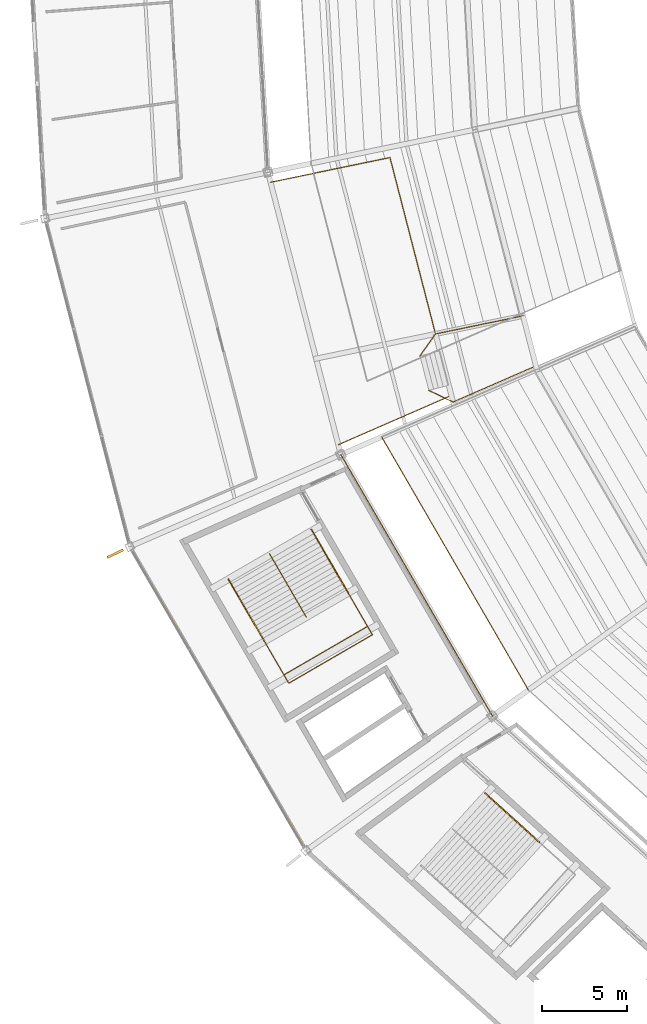
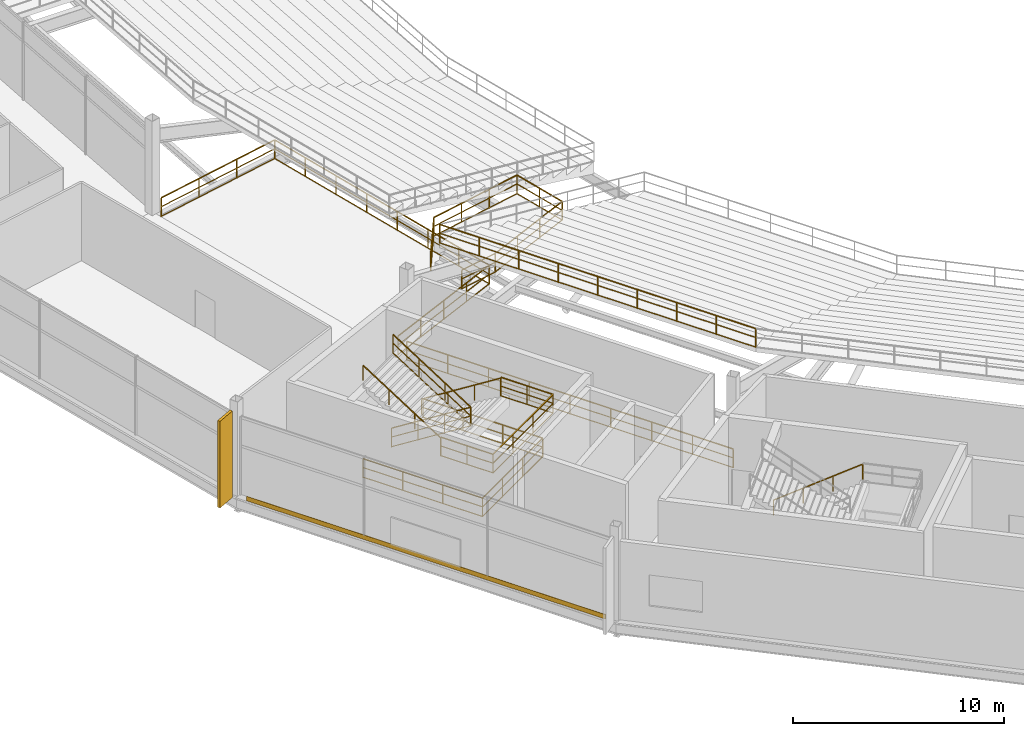
# One storey, part 170 of 186: 10 railings, 1 covering, 1 shading device.
"""IFC4 building model written with IfcOpenShell, lengths in metres."""

from ifc_helpers import new_model, si_unit, direction, frame, origin, origin_2d, place, context, subcontext, project, spatial, rectangle, extrude, material, layer, layer_set, type_object, element, save


model = new_model("IFC4")

# Units and contexts
model_context = context("Model", 3, precision=1e-05, world=origin(), true_north=direction((0.0, 1.0)))
body_context = subcontext(model_context, "Body", "Model", "MODEL_VIEW")
ifc_project = project(units=[si_unit("LENGTHUNIT", "METRE"), si_unit("AREAUNIT", "SQUARE_METRE"), si_unit("VOLUMEUNIT", "CUBIC_METRE"), si_unit("PLANEANGLEUNIT", "RADIAN"), si_unit("MASSUNIT", "GRAM", prefix="KILO")], contexts=[model_context])

# Site, building, storey
site_placement = place(None, origin())
site = spatial("IfcSite", under=ifc_project, at=site_placement, CompositionType="ELEMENT")
building_placement = place(site_placement, origin())
building = spatial("IfcBuilding", under=site, at=building_placement, Name="Kazemori Nagisa Stadium", CompositionType="ELEMENT")
storey_placement = place(building_placement, frame((0.0, 0.0, 20.39990234375)))
storey = spatial("IfcBuildingStorey", under=building, at=storey_placement, Name="L04", CompositionType="ELEMENT", Elevation=20.39990234375)

# Covering
ifc_material_1 = material(Name="Anodised aluminium 6063-T5", Category="aluminium")
ifc_layer = layer(ifc_material_1, 0.034912109375, Name="Anodised aluminium 6063-T5", Category="aluminium")
ifc_layer_set = layer_set([ifc_layer], Name="Anodised aluminium 6063-T5")
covering_type = type_object("IfcCoveringType", Name="Covering_CLAD", PredefinedType="CLADDING", material=ifc_layer_set)
covering_placement = place(storey_placement, frame((39.309814453125, 54.29150390625, -0.259765625), z_axis=(0.0, 0.0, 1.0), x_axis=(0.501611590054, -0.865092950337, 0.0)))
element("IfcCovering", 1, at=covering_placement, inside=storey, type_object=covering_type, Name="Anodised fascia cladding L04-B17", PredefinedType="CLADDING", context=body_context, shape_type="SweptSolid", body=[
    extrude(rectangle(XDim=19.6123046875, YDim=0.0400390625, at=origin_2d()), origin(), (0.0, 0.0, 1.0), 0.260009765625),
])

# Shading device
ifc_material_2 = material(Name="Aluminium 6063-T5 anodised", Category="aluminium")
shading_device_type = type_object("IfcShadingDeviceType", Name="Fin_FN03", PredefinedType="USERDEFINED", material=ifc_material_2)
shading_device_placement = place(storey_placement, frame((33.254638671875, 62.836181640625, 0.0), z_axis=(0.0, 0.0, 1.0), x_axis=(-0.900968867905, -0.433883739113, 0.0)))
element("IfcShadingDevice", 2, at=shading_device_placement, inside=storey, type_object=shading_device_type, Name="Aerodynamic wave shading fin L04-17", ObjectType="FIN", PredefinedType="USERDEFINED", context=body_context, shape_type="SweptSolid", body=[
    extrude(rectangle(XDim=1.050048828125, YDim=0.139892578125, at=origin_2d()), origin(), (0.0, 0.0, 1.0), 5.0),
])

# Railings
ifc_material_3 = material(Name="Laminated safety glass and stainless steel SUS304", Category="steel")
railing_type_1 = type_object("IfcRailingType", Name="Rail_BAL", PredefinedType="BALUSTRADE", material=ifc_material_3)
railing_1_placement = place(storey_placement, frame((42.41259765625, 84.737060546875, 0.0)))
element("IfcRailing", 3, at=railing_1_placement, inside=storey, type_object=railing_type_1, Name="Upper vomitory lobby balustrade B16", PredefinedType="BALUSTRADE", context=body_context, shape_type="SweptSolid", body=[
    extrude(rectangle(XDim=0.050048828125, YDim=0.050048828125, at=origin_2d()), frame((0.0, 0.0, 1.09521484375), z_axis=(0.979313585997, 0.202348462516, 0.0), x_axis=(-0.202348462516, 0.979313585997, 0.0)), (0.0, 0.0, 1.0), 7.189697265625),
    extrude(rectangle(XDim=0.03759765625, YDim=0.03759765625, at=origin_2d()), frame((0.0, 0.0, 0.58251953125), z_axis=(0.979313585997, 0.202348462516, 0.0), x_axis=(-0.202348462516, 0.979313585997, 0.0)), (0.0, 0.0, 1.0), 7.189697265625),
    extrude(rectangle(XDim=0.03759765625, YDim=0.03759765625, at=origin_2d()), frame((0.0, 0.0, 0.02490234375), z_axis=(0.979313585997, 0.202348462516, 0.0), x_axis=(-0.202348462516, 0.979313585997, 0.0)), (0.0, 0.0, 1.0), 7.189697265625),
    extrude(rectangle(XDim=0.050048828125, YDim=0.050048828125, at=origin_2d()), frame((7.041015625, 1.454833984375, 1.09521484375), z_axis=(0.249966179214, -0.968254568411, 0.0), x_axis=(0.968254568411, 0.249966179214, 0.0)), (0.0, 0.0, 1.0), 14.4892578125),
    extrude(rectangle(XDim=0.03759765625, YDim=0.03759765625, at=origin_2d()), frame((7.041015625, 1.454833984375, 0.58251953125), z_axis=(0.249966179214, -0.968254568411, 0.0), x_axis=(0.968254568411, 0.249966179214, 0.0)), (0.0, 0.0, 1.0), 14.4892578125),
    extrude(rectangle(XDim=0.03759765625, YDim=0.03759765625, at=origin_2d()), frame((7.041015625, 1.454833984375, 0.02490234375), z_axis=(0.249966179214, -0.968254568411, 0.0), x_axis=(0.968254568411, 0.249966179214, 0.0)), (0.0, 0.0, 1.0), 14.4892578125),
    extrude(rectangle(XDim=0.050048828125, YDim=0.050048828125, at=origin_2d()), frame((10.662841796875, -12.574462890625, 1.09521484375), z_axis=(-0.916678937459, -0.399624480756, 0.0), x_axis=(0.399624480756, -0.916678937459, 0.0)), (0.0, 0.0, 1.0), 7.2724609375),
    extrude(rectangle(XDim=0.03759765625, YDim=0.03759765625, at=origin_2d()), frame((10.662841796875, -12.574462890625, 0.58251953125), z_axis=(-0.916678937459, -0.399624480756, 0.0), x_axis=(0.399624480756, -0.916678937459, 0.0)), (0.0, 0.0, 1.0), 7.2724609375),
    extrude(rectangle(XDim=0.03759765625, YDim=0.03759765625, at=origin_2d()), frame((10.662841796875, -12.574462890625, 0.02490234375), z_axis=(-0.916678937459, -0.399624480756, 0.0), x_axis=(0.399624480756, -0.916678937459, 0.0)), (0.0, 0.0, 1.0), 7.2724609375),
    extrude(rectangle(XDim=0.044921875, YDim=0.044921875, at=origin_2d()), origin(), (0.0, 0.0, 1.0), 1.070068359375),
    extrude(rectangle(XDim=0.044921875, YDim=0.044921875, at=origin_2d()), frame((2.346923828125, 0.48486328125, 0.0)), (0.0, 0.0, 1.0), 1.070068359375),
    extrude(rectangle(XDim=0.044921875, YDim=0.044921875, at=origin_2d()), frame((4.694091796875, 0.969970703125, 0.0)), (0.0, 0.0, 1.0), 1.070068359375),
    extrude(rectangle(XDim=0.044921875, YDim=0.044921875, at=origin_2d()), frame((7.041015625, 1.454833984375, 0.0)), (0.0, 0.0, 1.0), 1.070068359375),
    extrude(rectangle(XDim=0.044921875, YDim=0.044921875, at=origin_2d()), frame((7.558349609375, -0.54931640625, 0.0)), (0.0, 0.0, 1.0), 1.070068359375),
    extrude(rectangle(XDim=0.044921875, YDim=0.044921875, at=origin_2d()), frame((8.075927734375, -2.553466796875, 0.0)), (0.0, 0.0, 1.0), 1.070068359375),
    extrude(rectangle(XDim=0.044921875, YDim=0.044921875, at=origin_2d()), frame((8.59326171875, -4.5576171875, 0.0)), (0.0, 0.0, 1.0), 1.070068359375),
    extrude(rectangle(XDim=0.044921875, YDim=0.044921875, at=origin_2d()), frame((9.110595703125, -6.56201171875, 0.0)), (0.0, 0.0, 1.0), 1.070068359375),
    extrude(rectangle(XDim=0.044921875, YDim=0.044921875, at=origin_2d()), frame((9.6279296875, -8.566162109375, 0.0)), (0.0, 0.0, 1.0), 1.070068359375),
    extrude(rectangle(XDim=0.044921875, YDim=0.044921875, at=origin_2d()), frame((10.1455078125, -10.5703125, 0.0)), (0.0, 0.0, 1.0), 1.070068359375),
    extrude(rectangle(XDim=0.044921875, YDim=0.044921875, at=origin_2d()), frame((10.662841796875, -12.574462890625, 0.0)), (0.0, 0.0, 1.0), 1.070068359375),
    extrude(rectangle(XDim=0.044921875, YDim=0.044921875, at=origin_2d()), frame((8.99609375, -13.301025390625, 0.0)), (0.0, 0.0, 1.0), 1.070068359375),
    extrude(rectangle(XDim=0.044921875, YDim=0.044921875, at=origin_2d()), frame((7.32958984375, -14.027587890625, 0.0)), (0.0, 0.0, 1.0), 1.070068359375),
    extrude(rectangle(XDim=0.044921875, YDim=0.044921875, at=origin_2d()), frame((5.6630859375, -14.754150390625, 0.0)), (0.0, 0.0, 1.0), 1.070068359375),
    extrude(rectangle(XDim=0.044921875, YDim=0.044921875, at=origin_2d()), frame((3.996337890625, -15.480712890625, 0.0)), (0.0, 0.0, 1.0), 1.070068359375),
])
railing_2_placement = place(storey_placement, frame((46.55908203125, 68.67529296875, 0.0)))
element("IfcRailing", 4, at=railing_2_placement, inside=storey, type_object=railing_type_1, Name="Upper concourse balustrade L04-B17", PredefinedType="BALUSTRADE", context=body_context, shape_type="SweptSolid", body=[
    extrude(rectangle(XDim=0.050048828125, YDim=0.050048828125, at=origin_2d()), frame((0.0, 0.0, 1.09521484375), z_axis=(0.501606704589, -0.865095783085, 0.0), x_axis=(0.865095783085, 0.501606704589, 0.0)), (0.0, 0.0, 1.0), 17.8125),
    extrude(rectangle(XDim=0.03759765625, YDim=0.03759765625, at=origin_2d()), frame((0.0, 0.0, 0.58251953125), z_axis=(0.501606704589, -0.865095783085, 0.0), x_axis=(0.865095783085, 0.501606704589, 0.0)), (0.0, 0.0, 1.0), 17.8125),
    extrude(rectangle(XDim=0.03759765625, YDim=0.03759765625, at=origin_2d()), frame((0.0, 0.0, 0.02490234375), z_axis=(0.501606704589, -0.865095783085, 0.0), x_axis=(0.865095783085, 0.501606704589, 0.0)), (0.0, 0.0, 1.0), 17.8125),
    extrude(rectangle(XDim=0.044921875, YDim=0.044921875, at=origin_2d()), origin(), (0.0, 0.0, 1.0), 1.070068359375),
    extrude(rectangle(XDim=0.044921875, YDim=0.044921875, at=origin_2d()), frame((1.116943359375, -1.92626953125, 0.0)), (0.0, 0.0, 1.0), 1.070068359375),
    extrude(rectangle(XDim=0.044921875, YDim=0.044921875, at=origin_2d()), frame((2.233642578125, -3.852294921875, 0.0)), (0.0, 0.0, 1.0), 1.070068359375),
    extrude(rectangle(XDim=0.044921875, YDim=0.044921875, at=origin_2d()), frame((3.3505859375, -5.778564453125, 0.0)), (0.0, 0.0, 1.0), 1.070068359375),
    extrude(rectangle(XDim=0.044921875, YDim=0.044921875, at=origin_2d()), frame((4.46728515625, -7.70458984375, 0.0)), (0.0, 0.0, 1.0), 1.070068359375),
    extrude(rectangle(XDim=0.044921875, YDim=0.044921875, at=origin_2d()), frame((5.584228515625, -9.630859375, 0.0)), (0.0, 0.0, 1.0), 1.070068359375),
    extrude(rectangle(XDim=0.044921875, YDim=0.044921875, at=origin_2d()), frame((6.701171875, -11.55712890625, 0.0)), (0.0, 0.0, 1.0), 1.070068359375),
    extrude(rectangle(XDim=0.044921875, YDim=0.044921875, at=origin_2d()), frame((7.81787109375, -13.483154296875, 0.0)), (0.0, 0.0, 1.0), 1.070068359375),
    extrude(rectangle(XDim=0.044921875, YDim=0.044921875, at=origin_2d()), frame((8.934814453125, -15.409423828125, 0.0)), (0.0, 0.0, 1.0), 1.070068359375),
])
ifc_material_4 = material(Name="Galvanised powder-coated steel", Category="steel")
railing_type_2 = type_object("IfcRailingType", Name="Rail_GUARD", PredefinedType="GUARDRAIL", material=ifc_material_4)
railing_3_placement = place(storey_placement, frame((44.858642578125, 64.196044921875, 0.0)))
element("IfcRailing", 5, at=railing_3_placement, inside=storey, type_object=railing_type_2, Name="Stair well perimeter guard ST09-L04", PredefinedType="GUARDRAIL", context=body_context, shape_type="SweptSolid", body=[
    extrude(rectangle(XDim=0.050048828125, YDim=0.050048828125, at=origin_2d()), frame((0.0, 0.0, 1.09521484375), z_axis=(0.501601054686, -0.865099059032, 0.0), x_axis=(0.865099059032, 0.501601054686, 0.0)), (0.0, 0.0, 1.0), 6.52490234375),
    extrude(rectangle(XDim=0.03759765625, YDim=0.03759765625, at=origin_2d()), frame((0.0, 0.0, 0.58251953125), z_axis=(0.501601054686, -0.865099059032, 0.0), x_axis=(0.865099059032, 0.501601054686, 0.0)), (0.0, 0.0, 1.0), 6.52490234375),
    extrude(rectangle(XDim=0.03759765625, YDim=0.03759765625, at=origin_2d()), frame((0.0, 0.0, 0.02490234375), z_axis=(0.501601054686, -0.865099059032, 0.0), x_axis=(0.865099059032, 0.501601054686, 0.0)), (0.0, 0.0, 1.0), 6.52490234375),
    extrude(rectangle(XDim=0.050048828125, YDim=0.050048828125, at=origin_2d()), frame((3.27294921875, -5.644775390625, 1.09521484375), z_axis=(-0.865091784601, -0.501613600508, 0.0), x_axis=(0.501613600508, -0.865091784601, 0.0)), (0.0, 0.0, 1.0), 5.699951171875),
    extrude(rectangle(XDim=0.03759765625, YDim=0.03759765625, at=origin_2d()), frame((3.27294921875, -5.644775390625, 0.58251953125), z_axis=(-0.865091784601, -0.501613600508, 0.0), x_axis=(0.501613600508, -0.865091784601, 0.0)), (0.0, 0.0, 1.0), 5.699951171875),
    extrude(rectangle(XDim=0.03759765625, YDim=0.03759765625, at=origin_2d()), frame((3.27294921875, -5.644775390625, 0.02490234375), z_axis=(-0.865091784601, -0.501613600508, 0.0), x_axis=(0.501613600508, -0.865091784601, 0.0)), (0.0, 0.0, 1.0), 5.699951171875),
    extrude(rectangle(XDim=0.050048828125, YDim=0.050048828125, at=origin_2d()), frame((-1.657958984375, -8.50390625, 1.09521484375), z_axis=(-0.501645292918, 0.865073407344, 0.0), x_axis=(-0.865073407344, -0.501645292918, 0.0)), (0.0, 0.0, 1.0), 6.52490234375),
    extrude(rectangle(XDim=0.03759765625, YDim=0.03759765625, at=origin_2d()), frame((-1.657958984375, -8.50390625, 0.58251953125), z_axis=(-0.501645292918, 0.865073407344, 0.0), x_axis=(-0.865073407344, -0.501645292918, 0.0)), (0.0, 0.0, 1.0), 6.52490234375),
    extrude(rectangle(XDim=0.03759765625, YDim=0.03759765625, at=origin_2d()), frame((-1.657958984375, -8.50390625, 0.02490234375), z_axis=(-0.501645292918, 0.865073407344, 0.0), x_axis=(-0.865073407344, -0.501645292918, 0.0)), (0.0, 0.0, 1.0), 6.52490234375),
    extrude(rectangle(XDim=0.044921875, YDim=0.044921875, at=origin_2d()), origin(), (0.0, 0.0, 1.0), 1.070068359375),
    extrude(rectangle(XDim=0.044921875, YDim=0.044921875, at=origin_2d()), frame((1.091064453125, -1.881591796875, 0.0)), (0.0, 0.0, 1.0), 1.070068359375),
    extrude(rectangle(XDim=0.044921875, YDim=0.044921875, at=origin_2d()), frame((2.181884765625, -3.76318359375, 0.0)), (0.0, 0.0, 1.0), 1.070068359375),
    extrude(rectangle(XDim=0.044921875, YDim=0.044921875, at=origin_2d()), frame((3.27294921875, -5.644775390625, 0.0)), (0.0, 0.0, 1.0), 1.070068359375),
    extrude(rectangle(XDim=0.044921875, YDim=0.044921875, at=origin_2d()), frame((1.62939453125, -6.597900390625, 0.0)), (0.0, 0.0, 1.0), 1.070068359375),
    extrude(rectangle(XDim=0.044921875, YDim=0.044921875, at=origin_2d()), frame((-0.014404296875, -7.55078125, 0.0)), (0.0, 0.0, 1.0), 1.070068359375),
    extrude(rectangle(XDim=0.044921875, YDim=0.044921875, at=origin_2d()), frame((-1.657958984375, -8.50390625, 0.0)), (0.0, 0.0, 1.0), 1.070068359375),
    extrude(rectangle(XDim=0.044921875, YDim=0.044921875, at=origin_2d()), frame((-2.7490234375, -6.622314453125, 0.0)), (0.0, 0.0, 1.0), 1.070068359375),
    extrude(rectangle(XDim=0.044921875, YDim=0.044921875, at=origin_2d()), frame((-3.840087890625, -4.740966796875, 0.0)), (0.0, 0.0, 1.0), 1.070068359375),
    extrude(rectangle(XDim=0.044921875, YDim=0.044921875, at=origin_2d()), frame((-4.93115234375, -2.859375, 0.0)), (0.0, 0.0, 1.0), 1.070068359375),
])
railing_4_placement = place(storey_placement, frame((42.35302734375, 62.835693359375, 0.0)))
element("IfcRailing", 6, at=railing_4_placement, inside=storey, type_object=railing_type_2, Name="Stair central guard ST09-L04", PredefinedType="GUARDRAIL", context=body_context, shape_type="SweptSolid", body=[
    extrude(rectangle(XDim=0.050048828125, YDim=0.050048828125, at=origin_2d()), frame((0.0, 0.0, 1.09521484375), z_axis=(0.424593654566, -0.732311765685, 0.532390558088), x_axis=(0.865106633618, 0.501587990756, 0.0)), (0.0, 0.0, 1.0), 5.109375),
    extrude(rectangle(XDim=0.03759765625, YDim=0.03759765625, at=origin_2d()), frame((0.0, 0.0, 0.58251953125), z_axis=(0.424593654566, -0.732311765685, 0.532390558088), x_axis=(0.865106633618, 0.501587990756, 0.0)), (0.0, 0.0, 1.0), 5.109375),
    extrude(rectangle(XDim=0.03759765625, YDim=0.03759765625, at=origin_2d()), frame((0.0, 0.0, 0.02490234375), z_axis=(0.424593654566, -0.732311765685, 0.532390558088), x_axis=(0.865106633618, 0.501587990756, 0.0)), (0.0, 0.0, 1.0), 5.109375),
    extrude(rectangle(XDim=0.050048828125, YDim=0.050048828125, at=origin_2d()), frame((2.16943359375, -3.74169921875, 3.8154296875), z_axis=(-0.42235583137, 0.728396745639, 0.53949395979), x_axis=(-0.865090089266, -0.501616524304, 0.0)), (0.0, 0.0, 1.0), 5.041748046875),
    extrude(rectangle(XDim=0.03759765625, YDim=0.03759765625, at=origin_2d()), frame((2.16943359375, -3.74169921875, 3.302734375), z_axis=(-0.42235583137, 0.728396745639, 0.53949395979), x_axis=(-0.865090089266, -0.501616524304, 0.0)), (0.0, 0.0, 1.0), 5.041748046875),
    extrude(rectangle(XDim=0.03759765625, YDim=0.03759765625, at=origin_2d()), frame((2.16943359375, -3.74169921875, 2.7451171875), z_axis=(-0.42235583137, 0.728396745639, 0.53949395979), x_axis=(-0.865090089266, -0.501616524304, 0.0)), (0.0, 0.0, 1.0), 5.041748046875),
    extrude(rectangle(XDim=0.044921875, YDim=0.044921875, at=origin_2d()), origin(), (0.0, 0.0, 1.0), 1.070068359375),
    extrude(rectangle(XDim=0.044921875, YDim=0.044921875, at=origin_2d()), frame((0.72314453125, -1.247314453125, 0.90673828125)), (0.0, 0.0, 1.0), 1.070068359375),
    extrude(rectangle(XDim=0.044921875, YDim=0.044921875, at=origin_2d()), frame((1.4462890625, -2.494384765625, 1.8134765625)), (0.0, 0.0, 1.0), 1.070068359375),
    extrude(rectangle(XDim=0.044921875, YDim=0.044921875, at=origin_2d()), frame((2.16943359375, -3.74169921875, 2.72021484375)), (0.0, 0.0, 1.0), 1.070068359375),
    extrude(rectangle(XDim=0.044921875, YDim=0.044921875, at=origin_2d()), frame((1.459716796875, -2.517578125, 3.626953125)), (0.0, 0.0, 1.0), 1.070068359375),
    extrude(rectangle(XDim=0.044921875, YDim=0.044921875, at=origin_2d()), frame((0.749755859375, -1.29345703125, 4.533447265625)), (0.0, 0.0, 1.0), 1.070068359375),
    extrude(rectangle(XDim=0.044921875, YDim=0.044921875, at=origin_2d()), frame((0.0400390625, -0.0693359375, 5.440185546875)), (0.0, 0.0, 1.0), 1.070068359375),
])
railing_5_placement = place(storey_placement, frame((46.988037109375, 60.523681640625, 2.72021484375)))
element("IfcRailing", 7, at=railing_5_placement, inside=storey, type_object=railing_type_2, Name="Stair landing guard ST09-L04", PredefinedType="GUARDRAIL", context=body_context, shape_type="SweptSolid", body=[
    extrude(rectangle(XDim=0.050048828125, YDim=0.050048828125, at=origin_2d()), frame((0.0, 0.0, 1.09521484375), z_axis=(0.501562958255, -0.865121146954, 0.0), x_axis=(0.865121146954, 0.501562958255, 0.0)), (0.0, 0.0, 1.0), 2.85009765625),
    extrude(rectangle(XDim=0.03759765625, YDim=0.03759765625, at=origin_2d()), frame((0.0, 0.0, 0.58251953125), z_axis=(0.501562958255, -0.865121146954, 0.0), x_axis=(0.865121146954, 0.501562958255, 0.0)), (0.0, 0.0, 1.0), 2.85009765625),
    extrude(rectangle(XDim=0.03759765625, YDim=0.03759765625, at=origin_2d()), frame((0.0, 0.0, 0.02490234375), z_axis=(0.501562958255, -0.865121146954, 0.0), x_axis=(0.865121146954, 0.501562958255, 0.0)), (0.0, 0.0, 1.0), 2.85009765625),
    extrude(rectangle(XDim=0.050048828125, YDim=0.050048828125, at=origin_2d()), frame((1.429443359375, -2.465576171875, 1.09521484375), z_axis=(-0.865091784601, -0.501613600508, 0.0), x_axis=(0.501613600508, -0.865091784601, 0.0)), (0.0, 0.0, 1.0), 5.699951171875),
    extrude(rectangle(XDim=0.03759765625, YDim=0.03759765625, at=origin_2d()), frame((1.429443359375, -2.465576171875, 0.58251953125), z_axis=(-0.865091784601, -0.501613600508, 0.0), x_axis=(0.501613600508, -0.865091784601, 0.0)), (0.0, 0.0, 1.0), 5.699951171875),
    extrude(rectangle(XDim=0.03759765625, YDim=0.03759765625, at=origin_2d()), frame((1.429443359375, -2.465576171875, 0.02490234375), z_axis=(-0.865091784601, -0.501613600508, 0.0), x_axis=(0.501613600508, -0.865091784601, 0.0)), (0.0, 0.0, 1.0), 5.699951171875),
    extrude(rectangle(XDim=0.050048828125, YDim=0.050048828125, at=origin_2d()), frame((-3.50146484375, -5.32470703125, 1.09521484375), z_axis=(-0.501627068055, 0.865083975458, 0.0), x_axis=(-0.865083975458, -0.501627068055, 0.0)), (0.0, 0.0, 1.0), 2.85009765625),
    extrude(rectangle(XDim=0.03759765625, YDim=0.03759765625, at=origin_2d()), frame((-3.50146484375, -5.32470703125, 0.58251953125), z_axis=(-0.501627068055, 0.865083975458, 0.0), x_axis=(-0.865083975458, -0.501627068055, 0.0)), (0.0, 0.0, 1.0), 2.85009765625),
    extrude(rectangle(XDim=0.03759765625, YDim=0.03759765625, at=origin_2d()), frame((-3.50146484375, -5.32470703125, 0.02490234375), z_axis=(-0.501627068055, 0.865083975458, 0.0), x_axis=(-0.865083975458, -0.501627068055, 0.0)), (0.0, 0.0, 1.0), 2.85009765625),
    extrude(rectangle(XDim=0.044921875, YDim=0.044921875, at=origin_2d()), origin(), (0.0, 0.0, 1.0), 1.070068359375),
    extrude(rectangle(XDim=0.044921875, YDim=0.044921875, at=origin_2d()), frame((0.71484375, -1.23291015625, 0.0)), (0.0, 0.0, 1.0), 1.070068359375),
    extrude(rectangle(XDim=0.044921875, YDim=0.044921875, at=origin_2d()), frame((1.429443359375, -2.465576171875, 0.0)), (0.0, 0.0, 1.0), 1.070068359375),
    extrude(rectangle(XDim=0.044921875, YDim=0.044921875, at=origin_2d()), frame((-0.214111328125, -3.418701171875, 0.0)), (0.0, 0.0, 1.0), 1.070068359375),
    extrude(rectangle(XDim=0.044921875, YDim=0.044921875, at=origin_2d()), frame((-1.85791015625, -4.37158203125, 0.0)), (0.0, 0.0, 1.0), 1.070068359375),
    extrude(rectangle(XDim=0.044921875, YDim=0.044921875, at=origin_2d()), frame((-3.50146484375, -5.32470703125, 0.0)), (0.0, 0.0, 1.0), 1.070068359375),
    extrude(rectangle(XDim=0.044921875, YDim=0.044921875, at=origin_2d()), frame((-4.21630859375, -4.091796875, 0.0)), (0.0, 0.0, 1.0), 1.070068359375),
    extrude(rectangle(XDim=0.044921875, YDim=0.044921875, at=origin_2d()), frame((-4.93115234375, -2.859130859375, 0.0)), (0.0, 0.0, 1.0), 1.070068359375),
])
railing_6_placement = place(storey_placement, frame((51.22265625, 74.498291015625, 0.0)))
element("IfcRailing", 8, at=railing_6_placement, inside=storey, type_object=railing_type_2, Name="Vomitory upper portal guard VU07", PredefinedType="GUARDRAIL", context=body_context, shape_type="SweptSolid", body=[
    extrude(rectangle(XDim=0.050048828125, YDim=0.050048828125, at=origin_2d()), frame((0.0, 0.0, 1.09521484375), z_axis=(0.504871484815, 0.71382096333, 0.485349787402), x_axis=(-0.816429804439, 0.577444693822, 0.0)), (0.0, 0.0, 1.0), 1.8134765625),
    extrude(rectangle(XDim=0.03759765625, YDim=0.03759765625, at=origin_2d()), frame((0.0, 0.0, 0.58251953125), z_axis=(0.504871484815, 0.71382096333, 0.485349787402), x_axis=(-0.816429804439, 0.577444693822, 0.0)), (0.0, 0.0, 1.0), 1.8134765625),
    extrude(rectangle(XDim=0.03759765625, YDim=0.03759765625, at=origin_2d()), frame((0.0, 0.0, 0.02490234375), z_axis=(0.504871484815, 0.71382096333, 0.485349787402), x_axis=(-0.816429804439, 0.577444693822, 0.0)), (0.0, 0.0, 1.0), 1.8134765625),
    extrude(rectangle(XDim=0.050048828125, YDim=0.050048828125, at=origin_2d()), frame((0.91552734375, 1.29443359375, 1.97509765625), z_axis=(0.979312342256, 0.202354481803, 0.0), x_axis=(-0.202354481803, 0.979312342256, 0.0)), (0.0, 0.0, 1.0), 5.2724609375),
    extrude(rectangle(XDim=0.03759765625, YDim=0.03759765625, at=origin_2d()), frame((0.91552734375, 1.29443359375, 1.462646484375), z_axis=(0.979312342256, 0.202354481803, 0.0), x_axis=(-0.202354481803, 0.979312342256, 0.0)), (0.0, 0.0, 1.0), 5.2724609375),
    extrude(rectangle(XDim=0.03759765625, YDim=0.03759765625, at=origin_2d()), frame((0.91552734375, 1.29443359375, 0.9052734375), z_axis=(0.979312342256, 0.202354481803, 0.0), x_axis=(-0.202354481803, 0.979312342256, 0.0)), (0.0, 0.0, 1.0), 5.2724609375),
    extrude(rectangle(XDim=0.050048828125, YDim=0.050048828125, at=origin_2d()), frame((6.078857421875, 2.361328125, 1.97509765625), z_axis=(0.249986959533, -0.968249203492, 0.0), x_axis=(0.968249203492, 0.249986959533, 0.0)), (0.0, 0.0, 1.0), 3.050048828125),
    extrude(rectangle(XDim=0.03759765625, YDim=0.03759765625, at=origin_2d()), frame((6.078857421875, 2.361328125, 1.462646484375), z_axis=(0.249986959533, -0.968249203492, 0.0), x_axis=(0.968249203492, 0.249986959533, 0.0)), (0.0, 0.0, 1.0), 3.050048828125),
    extrude(rectangle(XDim=0.03759765625, YDim=0.03759765625, at=origin_2d()), frame((6.078857421875, 2.361328125, 0.9052734375), z_axis=(0.249986959533, -0.968249203492, 0.0), x_axis=(0.968249203492, 0.249986959533, 0.0)), (0.0, 0.0, 1.0), 3.050048828125),
    extrude(rectangle(XDim=0.050048828125, YDim=0.050048828125, at=origin_2d()), frame((6.84130859375, -0.591796875, 1.97509765625), z_axis=(-0.916669304894, -0.399646575695, 0.0), x_axis=(0.399646575695, -0.916669304894, 0.0)), (0.0, 0.0, 1.0), 5.3330078125),
    extrude(rectangle(XDim=0.03759765625, YDim=0.03759765625, at=origin_2d()), frame((6.84130859375, -0.591796875, 1.462646484375), z_axis=(-0.916669304894, -0.399646575695, 0.0), x_axis=(0.399646575695, -0.916669304894, 0.0)), (0.0, 0.0, 1.0), 5.3330078125),
    extrude(rectangle(XDim=0.03759765625, YDim=0.03759765625, at=origin_2d()), frame((6.84130859375, -0.591796875, 0.9052734375), z_axis=(-0.916669304894, -0.399646575695, 0.0), x_axis=(0.399646575695, -0.916669304894, 0.0)), (0.0, 0.0, 1.0), 5.3330078125),
    extrude(rectangle(XDim=0.050048828125, YDim=0.050048828125, at=origin_2d()), frame((1.95263671875, -2.72314453125, 1.97509765625), z_axis=(-0.787287263486, 0.380315752283, -0.485323287426), x_axis=(-0.434977266363, -0.900441434935, 0.0)), (0.0, 0.0, 1.0), 1.8134765625),
    extrude(rectangle(XDim=0.03759765625, YDim=0.03759765625, at=origin_2d()), frame((1.95263671875, -2.72314453125, 1.462646484375), z_axis=(-0.787287263486, 0.380315752283, -0.485323287426), x_axis=(-0.434977266363, -0.900441434935, 0.0)), (0.0, 0.0, 1.0), 1.8134765625),
    extrude(rectangle(XDim=0.03759765625, YDim=0.03759765625, at=origin_2d()), frame((1.95263671875, -2.72314453125, 0.9052734375), z_axis=(-0.787287263486, 0.380315752283, -0.485323287426), x_axis=(-0.434977266363, -0.900441434935, 0.0)), (0.0, 0.0, 1.0), 1.8134765625),
    extrude(rectangle(XDim=0.044921875, YDim=0.044921875, at=origin_2d()), origin(), (0.0, 0.0, 1.0), 1.070068359375),
    extrude(rectangle(XDim=0.044921875, YDim=0.044921875, at=origin_2d()), frame((0.91552734375, 1.29443359375, 0.880126953125)), (0.0, 0.0, 1.0), 1.070068359375),
    extrude(rectangle(XDim=0.044921875, YDim=0.044921875, at=origin_2d()), frame((2.63671875, 1.650146484375, 0.880126953125)), (0.0, 0.0, 1.0), 1.070068359375),
    extrude(rectangle(XDim=0.044921875, YDim=0.044921875, at=origin_2d()), frame((4.357666015625, 2.005615234375, 0.880126953125)), (0.0, 0.0, 1.0), 1.070068359375),
    extrude(rectangle(XDim=0.044921875, YDim=0.044921875, at=origin_2d()), frame((6.078857421875, 2.361328125, 0.880126953125)), (0.0, 0.0, 1.0), 1.070068359375),
    extrude(rectangle(XDim=0.044921875, YDim=0.044921875, at=origin_2d()), frame((6.4599609375, 0.884765625, 0.880126953125)), (0.0, 0.0, 1.0), 1.070068359375),
    extrude(rectangle(XDim=0.044921875, YDim=0.044921875, at=origin_2d()), frame((6.84130859375, -0.591796875, 0.880126953125)), (0.0, 0.0, 1.0), 1.070068359375),
    extrude(rectangle(XDim=0.044921875, YDim=0.044921875, at=origin_2d()), frame((5.211669921875, -1.30224609375, 0.880126953125)), (0.0, 0.0, 1.0), 1.070068359375),
    extrude(rectangle(XDim=0.044921875, YDim=0.044921875, at=origin_2d()), frame((3.582275390625, -2.0126953125, 0.880126953125)), (0.0, 0.0, 1.0), 1.070068359375),
    extrude(rectangle(XDim=0.044921875, YDim=0.044921875, at=origin_2d()), frame((1.95263671875, -2.72314453125, 0.880126953125)), (0.0, 0.0, 1.0), 1.070068359375),
    extrude(rectangle(XDim=0.044921875, YDim=0.044921875, at=origin_2d()), frame((0.52490234375, -2.033447265625, 0.0)), (0.0, 0.0, 1.0), 1.070068359375),
])
railing_7_placement = place(storey_placement, frame((48.958740234375, 69.7216796875, 5.280029296875)))
element("IfcRailing", 9, at=railing_7_placement, inside=storey, type_object=railing_type_2, Name="Upper tier rear guard B17", PredefinedType="GUARDRAIL", context=body_context, shape_type="SweptSolid", body=[
    extrude(rectangle(XDim=0.050048828125, YDim=0.050048828125, at=origin_2d()), frame((0.0, 0.0, 1.09521484375), z_axis=(0.501613473097, -0.86509185848, 0.0), x_axis=(0.86509185848, 0.501613473097, 0.0)), (0.0, 0.0, 1.0), 17.25341796875),
    extrude(rectangle(XDim=0.03759765625, YDim=0.03759765625, at=origin_2d()), frame((0.0, 0.0, 0.58251953125), z_axis=(0.501613473097, -0.86509185848, 0.0), x_axis=(0.86509185848, 0.501613473097, 0.0)), (0.0, 0.0, 1.0), 17.25341796875),
    extrude(rectangle(XDim=0.03759765625, YDim=0.03759765625, at=origin_2d()), frame((0.0, 0.0, 0.02490234375), z_axis=(0.501613473097, -0.86509185848, 0.0), x_axis=(0.86509185848, 0.501613473097, 0.0)), (0.0, 0.0, 1.0), 17.25341796875),
    extrude(rectangle(XDim=0.044921875, YDim=0.044921875, at=origin_2d()), origin(), (0.0, 0.0, 1.0), 1.070068359375),
    extrude(rectangle(XDim=0.044921875, YDim=0.044921875, at=origin_2d()), frame((1.081787109375, -1.86572265625, 0.0)), (0.0, 0.0, 1.0), 1.070068359375),
    extrude(rectangle(XDim=0.044921875, YDim=0.044921875, at=origin_2d()), frame((2.16357421875, -3.7314453125, 0.0)), (0.0, 0.0, 1.0), 1.070068359375),
    extrude(rectangle(XDim=0.044921875, YDim=0.044921875, at=origin_2d()), frame((3.245361328125, -5.59716796875, 0.0)), (0.0, 0.0, 1.0), 1.070068359375),
    extrude(rectangle(XDim=0.044921875, YDim=0.044921875, at=origin_2d()), frame((4.3271484375, -7.462890625, 0.0)), (0.0, 0.0, 1.0), 1.070068359375),
    extrude(rectangle(XDim=0.044921875, YDim=0.044921875, at=origin_2d()), frame((5.4091796875, -9.32861328125, 0.0)), (0.0, 0.0, 1.0), 1.070068359375),
    extrude(rectangle(XDim=0.044921875, YDim=0.044921875, at=origin_2d()), frame((6.490966796875, -11.1943359375, 0.0)), (0.0, 0.0, 1.0), 1.070068359375),
    extrude(rectangle(XDim=0.044921875, YDim=0.044921875, at=origin_2d()), frame((7.57275390625, -13.06005859375, 0.0)), (0.0, 0.0, 1.0), 1.070068359375),
    extrude(rectangle(XDim=0.044921875, YDim=0.044921875, at=origin_2d()), frame((8.654541015625, -14.92578125, 0.0)), (0.0, 0.0, 1.0), 1.070068359375),
])
ifc_material_5 = material(Name="Stainless steel SUS304", Category="steel")
railing_type_3 = type_object("IfcRailingType", Name="Rail_HAND", PredefinedType="HANDRAIL", material=ifc_material_5)
railing_8_placement = place(storey_placement, frame((44.818359375, 64.26513671875, 0.170166015625)))
element("IfcRailing", 10, at=railing_8_placement, inside=storey, type_object=railing_type_3, Name="Stair handrail ST09-L04-F1", PredefinedType="HANDRAIL", context=body_context, shape_type="SweptSolid", body=[
    extrude(rectangle(XDim=0.050048828125, YDim=0.050048828125, at=origin_2d()), frame((0.0, 0.0, 0.875), z_axis=(0.424658482553, -0.732293377419, 0.53236414472), x_axis=(0.865067934841, 0.501654729979, 0.0)), (0.0, 0.0, 1.0), 5.109130859375),
    extrude(rectangle(XDim=0.044921875, YDim=0.044921875, at=origin_2d()), origin(), (0.0, 0.0, 1.0), 0.849853515625),
    extrude(rectangle(XDim=0.044921875, YDim=0.044921875, at=origin_2d()), frame((0.72314453125, -1.2470703125, 0.90673828125)), (0.0, 0.0, 1.0), 0.849853515625),
    extrude(rectangle(XDim=0.044921875, YDim=0.044921875, at=origin_2d()), frame((1.446533203125, -2.494384765625, 1.813232421875)), (0.0, 0.0, 1.0), 0.849853515625),
    extrude(rectangle(XDim=0.044921875, YDim=0.044921875, at=origin_2d()), frame((2.169677734375, -3.741455078125, 2.719970703125)), (0.0, 0.0, 1.0), 0.849853515625),
])
railing_9_placement = place(storey_placement, frame((42.056884765625, 57.66455078125, 2.89013671875)))
element("IfcRailing", 11, at=railing_9_placement, inside=storey, type_object=railing_type_3, Name="Stair handrail ST09-L04-F2", PredefinedType="HANDRAIL", context=body_context, shape_type="SweptSolid", body=[
    extrude(rectangle(XDim=0.050048828125, YDim=0.050048828125, at=origin_2d()), frame((0.0, 0.0, 0.875), z_axis=(-0.422370729009, 0.72837401227, 0.53951298921), x_axis=(-0.865075617156, -0.501641482138, 0.0)), (0.0, 0.0, 1.0), 5.04150390625),
    extrude(rectangle(XDim=0.044921875, YDim=0.044921875, at=origin_2d()), origin(), (0.0, 0.0, 1.0), 0.849853515625),
    extrude(rectangle(XDim=0.044921875, YDim=0.044921875, at=origin_2d()), frame((-0.709716796875, 1.22412109375, 0.90673828125)), (0.0, 0.0, 1.0), 0.849853515625),
    extrude(rectangle(XDim=0.044921875, YDim=0.044921875, at=origin_2d()), frame((-1.419677734375, 2.447998046875, 1.813232421875)), (0.0, 0.0, 1.0), 0.849853515625),
    extrude(rectangle(XDim=0.044921875, YDim=0.044921875, at=origin_2d()), frame((-2.12939453125, 3.672119140625, 2.719970703125)), (0.0, 0.0, 1.0), 0.849853515625),
])
railing_10_placement = place(storey_placement, frame((55.064208984375, 48.719482421875, 0.170166015625)))
element("IfcRailing", 12, at=railing_10_placement, inside=storey, type_object=railing_type_3, Name="Stair handrail ST03-L04-F1", PredefinedType="HANDRAIL", context=body_context, shape_type="SweptSolid", body=[
    extrude(rectangle(XDim=0.050048828125, YDim=0.050048828125, at=origin_2d()), frame((0.0, 0.0, 0.875), z_axis=(0.627586741976, -0.568096450081, 0.532354491576), x_axis=(0.671095101672, 0.741371273056, 0.0)), (0.0, 0.0, 1.0), 5.109375),
    extrude(rectangle(XDim=0.044921875, YDim=0.044921875, at=origin_2d()), origin(), (0.0, 0.0, 1.0), 0.849853515625),
    extrude(rectangle(XDim=0.044921875, YDim=0.044921875, at=origin_2d()), frame((1.06884765625, -0.967529296875, 0.90673828125)), (0.0, 0.0, 1.0), 0.849853515625),
    extrude(rectangle(XDim=0.044921875, YDim=0.044921875, at=origin_2d()), frame((2.1376953125, -1.93505859375, 1.813232421875)), (0.0, 0.0, 1.0), 0.849853515625),
    extrude(rectangle(XDim=0.044921875, YDim=0.044921875, at=origin_2d()), frame((3.20654296875, -2.902587890625, 2.719970703125)), (0.0, 0.0, 1.0), 0.849853515625),
])

save(model, "model.ifc")
